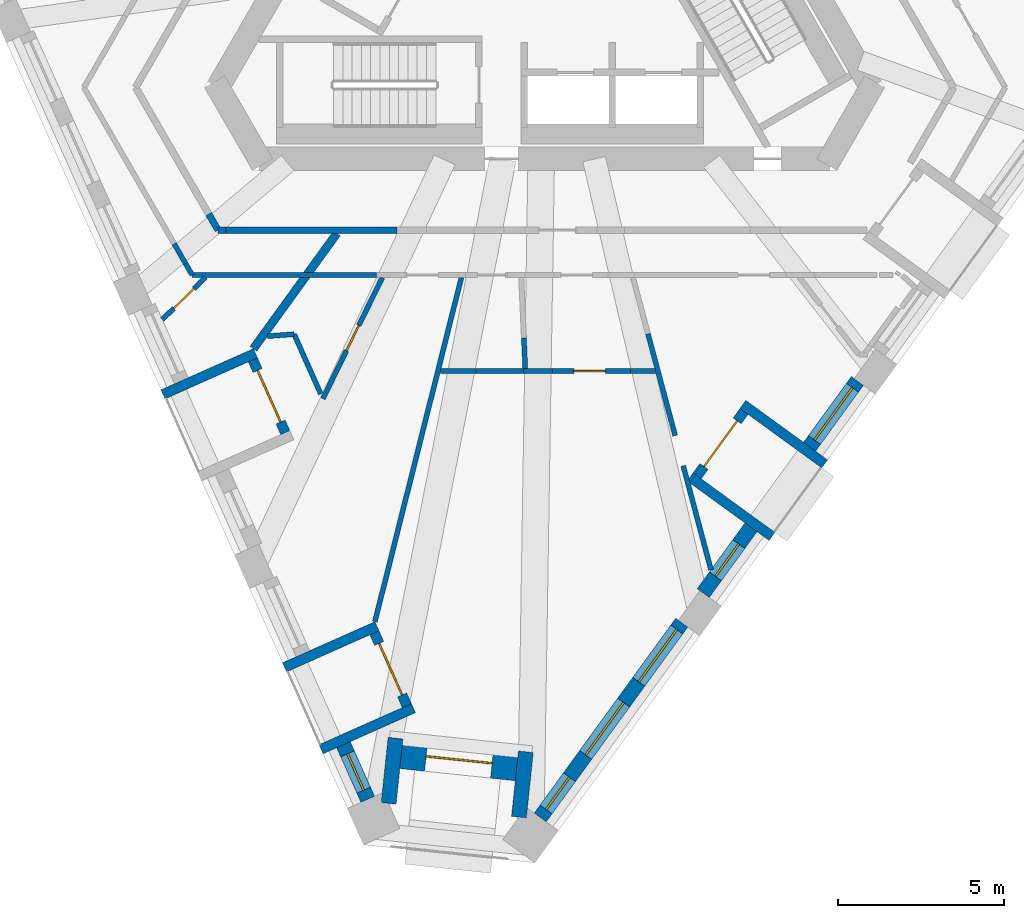
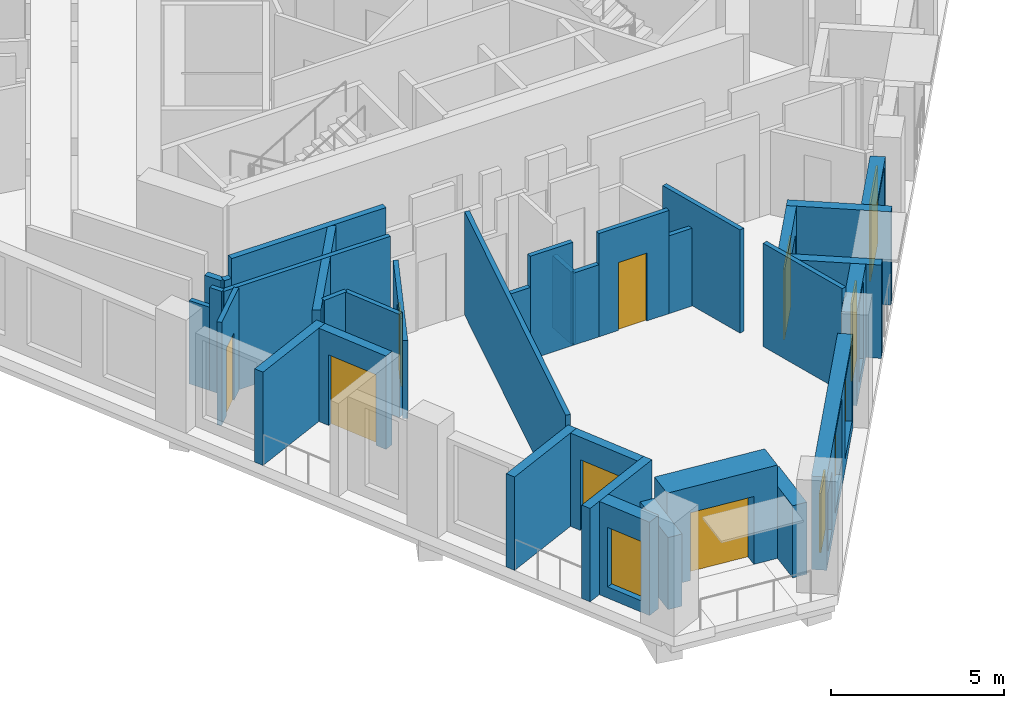
# One storey, part 2 of 11: 35 walls, 7 doors, 6 windows, 13 openings.
"""IFC4 building model written with IfcOpenShell, lengths in metres."""

from ifc_helpers import new_model, si_unit, direction, frame, frame_2d, origin, place, context, subcontext, project, spatial, rectangle, extrude, material, layer, layer_set, type_object, element, fill, save


model = new_model("IFC4")

# Units and contexts
model_context = context("Model", 3, precision=1e-05, world=origin(), true_north=direction((0.0, 1.0)))
body_context = subcontext(model_context, "Body", "Model", "MODEL_VIEW")
ifc_project = project(units=[si_unit("LENGTHUNIT", "METRE"), si_unit("AREAUNIT", "SQUARE_METRE"), si_unit("VOLUMEUNIT", "CUBIC_METRE"), si_unit("PLANEANGLEUNIT", "RADIAN"), si_unit("MASSUNIT", "GRAM", prefix="KILO")], contexts=[model_context])

# Site, building, storey
site_placement = place(None, origin())
site = spatial("IfcSite", under=ifc_project, at=site_placement, CompositionType="ELEMENT")
building_placement = place(site_placement, origin())
building = spatial("IfcBuilding", under=site, at=building_placement, Name="Tramontana Tower", CompositionType="ELEMENT")
storey_placement = place(building_placement, frame((0.0, 0.0, 257.199951171875)))
storey = spatial("IfcBuildingStorey", under=building, at=storey_placement, Name="L60", CompositionType="ELEMENT", Elevation=257.199951171875)

# Walls
ifc_material_1 = material(Name="Blockwork", Category="masonry")
ifc_layer_1 = layer(ifc_material_1, 0.199951171875)
ifc_layer_set_1 = layer_set([ifc_layer_1], Name="ENTRY WALL 200")
wall_type_1 = type_object("IfcWallType", Name="ENTRY WALL 200", PredefinedType="SOLIDWALL", material=ifc_layer_set_1)
wall_1_placement = place(storey_placement, frame((-4.447998046875, -8.550048828125, 0.0), z_axis=(0.0, 0.0, 1.0), x_axis=(-1.0, 0.0, 0.0)))
element("IfcWall", 1, at=wall_1_placement, inside=storey, type_object=wall_type_1, Name="Wall v61-ew1-10", PredefinedType="SOLIDWALL", context=body_context, shape_type="SweptSolid", body=[
    extrude(rectangle(XDim=5.161376953125, YDim=0.199951171875, at=frame_2d((2.58056640625, 0.0))), origin(), (0.0, 0.0, 1.0), 3.650146484375),
])
wall_2_placement = place(storey_placement, frame((-9.609375, -8.550048828125, 0.0), z_axis=(0.0, 0.0, 1.0), x_axis=(-1.0, 0.0, 0.0)))
element("IfcWall", 2, at=wall_2_placement, inside=storey, type_object=wall_type_1, Name="Wall v61-ew1-11", PredefinedType="SOLIDWALL", context=body_context, shape_type="SweptSolid", body=[
    extrude(rectangle(XDim=0.234375, YDim=0.199951171875, at=frame_2d((0.1171875, 0.0))), origin(), (0.0, 0.0, 1.0), 2.949951171875),
])
wall_3_placement = place(storey_placement, frame((-9.84375, -8.550048828125, 0.0), z_axis=(0.0, 0.0, 1.0), x_axis=(-0.500000383388, 0.866025182435, 0.0)))
element("IfcWall", 3, at=wall_3_placement, inside=storey, type_object=wall_type_1, Name="Wall v61-ew2-0", PredefinedType="SOLIDWALL", context=body_context, shape_type="SweptSolid", body=[
    extrude(rectangle(XDim=0.5576171875, YDim=0.199951171875, at=frame_2d((0.27880859375, 0.0))), origin(), (0.0, 0.0, 1.0), 2.949951171875),
])

# Wall, opening, window
ifc_material_2 = material(Name="Precast concrete 60 MPa", Category="concrete")
ifc_layer_2 = layer(ifc_material_2, 0.449951171875)
ifc_layer_set_2 = layer_set([ifc_layer_2], Name="Precast concrete 60 MPa, 450 mm")
wall_type_2 = type_object("IfcWallType", Name="EW1 Stone-faced precast wall 450", PredefinedType="SOLIDWALL", material=ifc_layer_set_2)
wall_4_placement = place(storey_placement, frame((-6.062744140625, -24.060546875, 0.0), z_axis=(0.0, 0.0, 1.0), x_axis=(0.406666293293, -0.913576776138, 0.0)))
wall_4 = element("IfcWall", 4, at=wall_4_placement, inside=storey, type_object=wall_type_2, Name="External wall L60 face 0 bay 5", PredefinedType="SOLIDWALL", context=body_context, shape_type="SweptSolid", body=[
    extrude(rectangle(XDim=1.80224609375, YDim=0.449951171875, at=frame_2d((0.901123046875, 0.0))), origin(), (0.0, 0.0, 1.0), 3.300048828125),
])
opening_1_placement = place(wall_4_placement, frame((0.301025390625, 0.0, 0.39990234375)))
opening_1 = element("IfcOpeningElement", 5, at=opening_1_placement, cuts=wall_4, Name="Opening N3L", PredefinedType="OPENING", context=body_context, shape_type="SweptSolid", body=[
    extrude(rectangle(XDim=1.199951171875, YDim=2.10009765625, at=frame_2d((0.60009765625, 1.050048828125))), frame((0.0, 0.23486328125, 0.0), z_axis=(0.0, -1.0, 0.0), x_axis=(1.0, 0.0, 0.0)), (0.0, 0.0, 1.0), 0.469970703125),
])
ifc_material_3 = material(Name="Aluminum frame, double glazing unit", Category="aluminium")
window_type_1 = type_object("IfcWindowType", Name="N3L Window 1.2 x 2.1", PartitioningType="SINGLE_PANEL", PredefinedType="WINDOW", material=ifc_material_3)
window_1_placement = place(opening_1_placement, origin())
window_1 = element("IfcWindow", 6, at=window_1_placement, inside=storey, type_object=window_type_1, Name="Window N3L L60 face 0 module 15", OverallHeight=2.10009765625, OverallWidth=1.199951171875, PartitioningType="SINGLE_PANEL", PredefinedType="WINDOW", context=body_context, shape_type="SweptSolid", body=[
    extrude(rectangle(XDim=1.199951171875, YDim=2.10009765625, at=frame_2d((0.60009765625, 1.050048828125))), frame((0.0, 0.030029296875, 0.0), z_axis=(0.0, -1.0, 0.0), x_axis=(1.0, 0.0, 0.0)), (0.0, 0.0, 1.0), 0.06005859375),
])
fill(opening_1, window_1)

# Wall, openings, windows
wall_5_placement = place(storey_placement, frame((-0.13134765625, -26.25341796875, 0.0), z_axis=(0.0, 0.0, 1.0), x_axis=(0.587781549195, 0.80901968482, 0.0)))
wall_5 = element("IfcWall", 7, at=wall_5_placement, inside=storey, type_object=wall_type_2, Name="External wall L60 face 1 bay 1", PredefinedType="SOLIDWALL", context=body_context, shape_type="SweptSolid", body=[
    extrude(rectangle(XDim=7.2568359375, YDim=0.449951171875, at=frame_2d((3.62841796875, 0.0))), origin(), (0.0, 0.0, 1.0), 3.300048828125),
])
opening_2_placement = place(wall_5_placement, frame((0.301025390625, 0.0, 0.39990234375)))
opening_2 = element("IfcOpeningElement", 8, at=opening_2_placement, cuts=wall_5, Name="Opening N3L", PredefinedType="OPENING", context=body_context, shape_type="SweptSolid", body=[
    extrude(rectangle(XDim=1.199951171875, YDim=2.10009765625, at=frame_2d((0.60009765625, 1.050048828125))), frame((0.0, 0.23486328125, 0.0), z_axis=(0.0, -1.0, 0.0), x_axis=(1.0, 0.0, 0.0)), (0.0, 0.0, 1.0), 0.469970703125),
])
opening_3_placement = place(wall_5_placement, frame((2.328369140625, 0.0, 0.39990234375)))
opening_3 = element("IfcOpeningElement", 9, at=opening_3_placement, cuts=wall_5, Name="Opening M3", PredefinedType="OPENING", context=body_context, shape_type="SweptSolid", body=[
    extrude(rectangle(XDim=1.949951171875, YDim=2.75, at=frame_2d((0.97509765625, 1.375))), frame((0.0, 0.23486328125, 0.0), z_axis=(0.0, -1.0, 0.0), x_axis=(1.0, 0.0, 0.0)), (0.0, 0.0, 1.0), 0.469970703125),
])
opening_4_placement = place(wall_5_placement, frame((5.0556640625, 0.0, 0.39990234375)))
opening_4 = element("IfcOpeningElement", 10, at=opening_4_placement, cuts=wall_5, Name="Opening M3", PredefinedType="OPENING", context=body_context, shape_type="SweptSolid", body=[
    extrude(rectangle(XDim=1.949951171875, YDim=2.75, at=frame_2d((0.97509765625, 1.375))), frame((0.0, 0.23486328125, 0.0), z_axis=(0.0, -1.0, 0.0), x_axis=(1.0, 0.0, 0.0)), (0.0, 0.0, 1.0), 0.469970703125),
])
ifc_material_4 = material(Name="Aluminum frame, double glazing unit", Category="aluminium")
window_type_2 = type_object("IfcWindowType", Name="M3 Window 1.95 x 2.75", PartitioningType="SINGLE_PANEL", PredefinedType="WINDOW", material=ifc_material_4)
window_2_placement = place(opening_3_placement, origin())
window_2 = element("IfcWindow", 11, at=window_2_placement, inside=storey, type_object=window_type_2, Name="Window M3 L60 face 1 module 2", OverallHeight=2.75, OverallWidth=1.949951171875, PartitioningType="SINGLE_PANEL", PredefinedType="WINDOW", context=body_context, shape_type="SweptSolid", body=[
    extrude(rectangle(XDim=1.949951171875, YDim=2.75, at=frame_2d((0.97509765625, 1.375))), frame((0.0, 0.030029296875, 0.0), z_axis=(0.0, -1.0, 0.0), x_axis=(1.0, 0.0, 0.0)), (0.0, 0.0, 1.0), 0.06005859375),
])
fill(opening_3, window_2)
window_3_placement = place(opening_4_placement, origin())
window_3 = element("IfcWindow", 12, at=window_3_placement, inside=storey, type_object=window_type_2, Name="Window M3 L60 face 1 module 3", OverallHeight=2.75, OverallWidth=1.949951171875, PartitioningType="SINGLE_PANEL", PredefinedType="WINDOW", context=body_context, shape_type="SweptSolid", body=[
    extrude(rectangle(XDim=1.949951171875, YDim=2.75, at=frame_2d((0.97509765625, 1.375))), frame((0.0, 0.030029296875, 0.0), z_axis=(0.0, -1.0, 0.0), x_axis=(1.0, 0.0, 0.0)), (0.0, 0.0, 1.0), 0.06005859375),
])
fill(opening_4, window_3)
window_4_placement = place(opening_2_placement, origin())
window_4 = element("IfcWindow", 13, at=window_4_placement, inside=storey, type_object=window_type_1, Name="Window N3L L60 face 1 module 1", OverallHeight=2.10009765625, OverallWidth=1.199951171875, PartitioningType="SINGLE_PANEL", PredefinedType="WINDOW", context=body_context, shape_type="SweptSolid", body=[
    extrude(rectangle(XDim=1.199951171875, YDim=2.10009765625, at=frame_2d((0.60009765625, 1.050048828125))), frame((0.0, 0.030029296875, 0.0), z_axis=(0.0, -1.0, 0.0), x_axis=(1.0, 0.0, 0.0)), (0.0, 0.0, 1.0), 0.06005859375),
])
fill(opening_2, window_4)

# Wall, opening, window
wall_6_placement = place(storey_placement, frame((4.780517578125, -19.49267578125, 0.0), z_axis=(0.0, 0.0, 1.0), x_axis=(0.587792773076, 0.809011530152, 0.0)))
wall_6 = element("IfcWall", 14, at=wall_6_placement, inside=storey, type_object=wall_type_2, Name="External wall L60 face 1 bay 2", PredefinedType="SOLIDWALL", context=body_context, shape_type="SweptSolid", body=[
    extrude(rectangle(XDim=2.4521484375, YDim=0.449951171875, at=frame_2d((1.22607421875, 0.0))), origin(), (0.0, 0.0, 1.0), 3.300048828125),
])
opening_5_placement = place(wall_6_placement, frame((0.626220703125, 0.0, 0.39990234375)))
opening_5 = element("IfcOpeningElement", 15, at=opening_5_placement, cuts=wall_6, Name="Opening N3", PredefinedType="OPENING", context=body_context, shape_type="SweptSolid", body=[
    extrude(rectangle(XDim=1.199951171875, YDim=2.75, at=frame_2d((0.60009765625, 1.375))), frame((0.0, 0.23486328125, 0.0), z_axis=(0.0, -1.0, 0.0), x_axis=(1.0, 0.0, 0.0)), (0.0, 0.0, 1.0), 0.469970703125),
])
ifc_material_5 = material(Name="Aluminum frame, double glazing unit", Category="aluminium")
window_type_3 = type_object("IfcWindowType", Name="N3 Window 1.2 x 2.75", PartitioningType="SINGLE_PANEL", PredefinedType="WINDOW", material=ifc_material_5)
window_5_placement = place(opening_5_placement, origin())
window_5 = element("IfcWindow", 16, at=window_5_placement, inside=storey, type_object=window_type_3, Name="Window N3 L60 face 1 module 4", OverallHeight=2.75, OverallWidth=1.199951171875, PartitioningType="SINGLE_PANEL", PredefinedType="WINDOW", context=body_context, shape_type="SweptSolid", body=[
    extrude(rectangle(XDim=1.199951171875, YDim=2.75, at=frame_2d((0.60009765625, 1.375))), frame((0.0, 0.030029296875, 0.0), z_axis=(0.0, -1.0, 0.0), x_axis=(1.0, 0.0, 0.0)), (0.0, 0.0, 1.0), 0.06005859375),
])
fill(opening_5, window_5)

wall_7_placement = place(storey_placement, frame((7.986572265625, -15.079833984375, 0.0), z_axis=(0.0, 0.0, 1.0), x_axis=(0.587792773076, 0.809011530152, 0.0)))
wall_7 = element("IfcWall", 17, at=wall_7_placement, inside=storey, type_object=wall_type_2, Name="External wall L60 face 1 bay 2", PredefinedType="SOLIDWALL", context=body_context, shape_type="SweptSolid", body=[
    extrude(rectangle(XDim=2.4521484375, YDim=0.449951171875, at=frame_2d((1.22607421875, 0.0))), origin(), (0.0, 0.0, 1.0), 3.300048828125),
])
opening_6_placement = place(wall_7_placement, frame((0.251220703125, 0.0, 0.39990234375)))
opening_6 = element("IfcOpeningElement", 18, at=opening_6_placement, cuts=wall_7, Name="Opening M3", PredefinedType="OPENING", context=body_context, shape_type="SweptSolid", body=[
    extrude(rectangle(XDim=1.949951171875, YDim=2.75, at=frame_2d((0.97509765625, 1.375))), frame((0.0, 0.23486328125, 0.0), z_axis=(0.0, -1.0, 0.0), x_axis=(1.0, 0.0, 0.0)), (0.0, 0.0, 1.0), 0.469970703125),
])
window_6_placement = place(opening_6_placement, origin())
window_6 = element("IfcWindow", 19, at=window_6_placement, inside=storey, type_object=window_type_2, Name="Window M3 L60 face 1 module 6", OverallHeight=2.75, OverallWidth=1.949951171875, PartitioningType="SINGLE_PANEL", PredefinedType="WINDOW", context=body_context, shape_type="SweptSolid", body=[
    extrude(rectangle(XDim=1.949951171875, YDim=2.75, at=frame_2d((0.97509765625, 1.375))), frame((0.0, 0.030029296875, 0.0), z_axis=(0.0, -1.0, 0.0), x_axis=(1.0, 0.0, 0.0)), (0.0, 0.0, 1.0), 0.06005859375),
])
fill(opening_6, window_6)

# Walls
for number, where, z_axis, x_axis, name in (
    (20, (-0.772216796875, -26.2421875, 0.0), (0.0, 0.0, 1.0), (0.104485716945, 0.994526387259, 0.0), "Corner loggia side wall L60 K61l"),
    (21, (-4.70068359375, -25.829345703125, 0.0), (0.0, 0.0, 1.0), (0.104607727594, 0.994513561158, 0.0), "Corner loggia side wall L60 K61r"),
):
    element("IfcWall", number, at=place(storey_placement, frame(where, z_axis=z_axis, x_axis=x_axis)), inside=storey, type_object=wall_type_2, Name=name, PredefinedType="SOLIDWALL", context=body_context, shape_type="SweptSolid", body=[
        extrude(rectangle(XDim=1.97900390625, YDim=0.449951171875, at=frame_2d((0.989501953125, 0.0))), origin(), (0.0, 0.0, 1.0), 2.550048828125),
    ])

# Wall, opening, door
ifc_material_6 = material(Name="Precast concrete 60 MPa", Category="concrete")
ifc_layer_3 = layer(ifc_material_6, 0.89990234375)
ifc_layer_set_3 = layer_set([ifc_layer_3], Name="EW2 Stone-faced corner loggia wall 900")
wall_type_3 = type_object("IfcWallType", Name="EW2 Stone-faced corner loggia wall 900", PredefinedType="SOLIDWALL", material=ifc_layer_set_3)
wall_8_placement = place(storey_placement, frame((-0.836181640625, -24.697998046875, 0.0), z_axis=(0.0, 0.0, 1.0), x_axis=(-0.994518821828, 0.104557701916, 0.0)))
wall_8 = element("IfcWall", 22, at=wall_8_placement, inside=storey, type_object=wall_type_3, Name="Corner loggia wall L60 K61", PredefinedType="SOLIDWALL", context=body_context, shape_type="SweptSolid", body=[
    extrude(rectangle(XDim=3.500244140625, YDim=0.89990234375, at=frame_2d((1.75, 0.0))), origin(), (0.0, 0.0, 1.0), 3.300048828125),
])
opening_7_placement = place(wall_8_placement, frame((0.75, 0.0, 0.0)))
opening_7 = element("IfcOpeningElement", 23, at=opening_7_placement, cuts=wall_8, Name="Opening BD-61C", PredefinedType="OPENING", context=body_context, shape_type="SweptSolid", body=[
    extrude(rectangle(XDim=2.0, YDim=2.39990234375, at=frame_2d((1.0, 1.199951171875))), frame((0.0, 0.4599609375, 0.0), z_axis=(0.0, -1.0, 0.0), x_axis=(1.0, 0.0, 0.0)), (0.0, 0.0, 1.0), 0.919921875),
])
ifc_material_7 = material(Name="Aluminum frame, double glazing unit", Category="aluminium")
door_type_1 = type_object("IfcDoorType", Name="BC1 Sliding door 2 x 2.4", OperationType="SLIDING_TO_LEFT", PredefinedType="DOOR", material=ifc_material_7)
door_1_placement = place(opening_7_placement, origin())
door_1 = element("IfcDoor", 24, at=door_1_placement, inside=storey, type_object=door_type_1, Name="Corner loggia door L60 K61", OperationType="SLIDING_TO_LEFT", OverallHeight=2.39990234375, OverallWidth=2.0, PredefinedType="DOOR", context=body_context, shape_type="SweptSolid", body=[
    extrude(rectangle(XDim=2.0, YDim=2.39990234375, at=frame_2d((1.0, 1.199951171875))), frame((0.0, 0.02490234375, 0.0), z_axis=(0.0, -1.0, 0.0), x_axis=(1.0, 0.0, 0.0)), (0.0, 0.0, 1.0), 0.050048828125),
])
fill(opening_7, door_1)

ifc_material_8 = material(Name="Precast concrete 60 MPa", Category="concrete")
ifc_layer_4 = layer(ifc_material_8, 0.300048828125)
ifc_layer_set_4 = layer_set([ifc_layer_4], Name="LW1 Stone-faced loggia wall 300")
wall_type_4 = type_object("IfcWallType", Name="LW1 Stone-faced loggia wall 300", PredefinedType="SOLIDWALL", material=ifc_layer_set_4)
wall_9_placement = place(storey_placement, frame((-8.792724609375, -12.458984375, 0.0), z_axis=(0.0, 0.0, 1.0), x_axis=(0.406723017018, -0.913551524232, 0.0)))
wall_9 = element("IfcWall", 25, at=wall_9_placement, inside=storey, type_object=wall_type_4, Name="Loggia wall L60 G6S0.10", PredefinedType="SOLIDWALL", context=body_context, shape_type="SweptSolid", body=[
    extrude(rectangle(XDim=2.40234375, YDim=0.300048828125, at=frame_2d((1.201171875, 0.0))), origin(), (0.0, 0.0, 1.0), 3.300048828125),
])
opening_8_placement = place(wall_9_placement, frame((0.35107421875, 0.0, 0.0)))
opening_8 = element("IfcOpeningElement", 26, at=opening_8_placement, cuts=wall_9, Name="Opening BD-6S0-10", PredefinedType="OPENING", context=body_context, shape_type="SweptSolid", body=[
    extrude(rectangle(XDim=1.699951171875, YDim=2.5, at=frame_2d((0.85009765625, 1.25))), frame((0.0, 0.159912109375, 0.0), z_axis=(0.0, -1.0, 0.0), x_axis=(1.0, 0.0, 0.0)), (0.0, 0.0, 1.0), 0.320068359375),
])
ifc_material_9 = material(Name="Aluminum frame, double glazing unit", Category="aluminium")
door_type_2 = type_object("IfcDoorType", Name="BD3 Sliding door 1.7 x 2.5", OperationType="SLIDING_TO_LEFT", PredefinedType="DOOR", material=ifc_material_9)
door_2_placement = place(opening_8_placement, origin())
door_2 = element("IfcDoor", 27, at=door_2_placement, inside=storey, type_object=door_type_2, Name="Loggia door L60 G6S0.10", OperationType="SLIDING_TO_LEFT", OverallHeight=2.5, OverallWidth=1.699951171875, PredefinedType="DOOR", context=body_context, shape_type="SweptSolid", body=[
    extrude(rectangle(XDim=1.699951171875, YDim=2.5, at=frame_2d((0.85009765625, 1.25))), frame((0.0, 0.02490234375, 0.0), z_axis=(0.0, -1.0, 0.0), x_axis=(1.0, 0.0, 0.0)), (0.0, 0.0, 1.0), 0.050048828125),
])
fill(opening_8, door_2)

# Wall
wall_10_placement = place(storey_placement, frame((-11.5029296875, -13.50146484375, 0.0), z_axis=(0.0, 0.0, 1.0), x_axis=(0.913557205168, 0.406710256677, 0.0)))
element("IfcWall", 28, at=wall_10_placement, inside=storey, type_object=wall_type_4, Name="Loggia return L60 G6S0.10a", PredefinedType="SOLIDWALL", context=body_context, shape_type="SweptSolid", body=[
    extrude(rectangle(XDim=3.050048828125, YDim=0.300048828125, at=frame_2d((1.52490234375, 0.0))), origin(), (0.0, 0.0, 1.0), 3.300048828125),
])

# Wall, opening, door
wall_11_placement = place(storey_placement, frame((-5.12939453125, -20.68701171875, 0.0), z_axis=(0.0, 0.0, 1.0), x_axis=(0.406723017018, -0.913551524232, 0.0)))
wall_11 = element("IfcWall", 29, at=wall_11_placement, inside=storey, type_object=wall_type_4, Name="Loggia wall L60 G6S0.13", PredefinedType="SOLIDWALL", context=body_context, shape_type="SweptSolid", body=[
    extrude(rectangle(XDim=2.40234375, YDim=0.300048828125, at=frame_2d((1.201171875, 0.0))), origin(), (0.0, 0.0, 1.0), 3.300048828125),
])
opening_9_placement = place(wall_11_placement, frame((0.35107421875, 0.0, 0.0)))
opening_9 = element("IfcOpeningElement", 30, at=opening_9_placement, cuts=wall_11, Name="Opening BD-6S0-13", PredefinedType="OPENING", context=body_context, shape_type="SweptSolid", body=[
    extrude(rectangle(XDim=1.699951171875, YDim=2.5, at=frame_2d((0.85009765625, 1.25))), frame((0.0, 0.159912109375, 0.0), z_axis=(0.0, -1.0, 0.0), x_axis=(1.0, 0.0, 0.0)), (0.0, 0.0, 1.0), 0.320068359375),
])
door_3_placement = place(opening_9_placement, origin())
door_3 = element("IfcDoor", 31, at=door_3_placement, inside=storey, type_object=door_type_2, Name="Loggia door L60 G6S0.13", OperationType="SLIDING_TO_LEFT", OverallHeight=2.5, OverallWidth=1.699951171875, PredefinedType="DOOR", context=body_context, shape_type="SweptSolid", body=[
    extrude(rectangle(XDim=1.699951171875, YDim=2.5, at=frame_2d((0.85009765625, 1.25))), frame((0.0, 0.02490234375, 0.0), z_axis=(0.0, -1.0, 0.0), x_axis=(1.0, 0.0, 0.0)), (0.0, 0.0, 1.0), 0.050048828125),
])
fill(opening_9, door_3)

# Walls
for number, where, z_axis, x_axis, name in (
    (32, (-7.839599609375, -21.7294921875, 0.0), (0.0, 0.0, 1.0), (0.913557205168, 0.406710256677, 0.0), "Loggia return L60 G6S0.13a"),
    (33, (-6.740478515625, -24.197998046875, 0.0), (0.0, 0.0, 1.0), (0.913557205168, 0.406710256677, 0.0), "Loggia return L60 G6S0.13b"),
):
    element("IfcWall", number, at=place(storey_placement, frame(where, z_axis=z_axis, x_axis=x_axis)), inside=storey, type_object=wall_type_4, Name=name, PredefinedType="SOLIDWALL", context=body_context, shape_type="SweptSolid", body=[
        extrude(rectangle(XDim=3.050048828125, YDim=0.300048828125, at=frame_2d((1.52490234375, 0.0))), origin(), (0.0, 0.0, 1.0), 3.300048828125),
    ])

# Wall, opening, door
wall_12_placement = place(storey_placement, frame((4.59814453125, -15.958251953125, 0.0), z_axis=(0.0, 0.0, 1.0), x_axis=(0.587833242688, 0.808982125137, 0.0)))
wall_12 = element("IfcWall", 34, at=wall_12_placement, inside=storey, type_object=wall_type_4, Name="Loggia wall L60 G6S1.4", PredefinedType="SOLIDWALL", context=body_context, shape_type="SweptSolid", body=[
    extrude(rectangle(XDim=2.40234375, YDim=0.300048828125, at=frame_2d((1.201171875, 0.0))), origin(), (0.0, 0.0, 1.0), 3.300048828125),
])
opening_10_placement = place(wall_12_placement, frame((0.35107421875, 0.0, 0.0)))
opening_10 = element("IfcOpeningElement", 35, at=opening_10_placement, cuts=wall_12, Name="Opening BD-6S1-04", PredefinedType="OPENING", context=body_context, shape_type="SweptSolid", body=[
    extrude(rectangle(XDim=1.699951171875, YDim=2.5, at=frame_2d((0.85009765625, 1.25))), frame((0.0, 0.159912109375, 0.0), z_axis=(0.0, -1.0, 0.0), x_axis=(1.0, 0.0, 0.0)), (0.0, 0.0, 1.0), 0.320068359375),
])
door_4_placement = place(opening_10_placement, origin())
door_4 = element("IfcDoor", 36, at=door_4_placement, inside=storey, type_object=door_type_2, Name="Loggia door L60 G6S1.4", OperationType="SLIDING_TO_LEFT", OverallHeight=2.5, OverallWidth=1.699951171875, PredefinedType="DOOR", context=body_context, shape_type="SweptSolid", body=[
    extrude(rectangle(XDim=1.699951171875, YDim=2.5, at=frame_2d((0.85009765625, 1.25))), frame((0.0, 0.02490234375, 0.0), z_axis=(0.0, -1.0, 0.0), x_axis=(1.0, 0.0, 0.0)), (0.0, 0.0, 1.0), 0.050048828125),
])
fill(opening_10, door_4)

# Walls
for number, where, z_axis, x_axis, name in (
    (37, (6.856201171875, -17.7841796875, 0.0), (0.0, 0.0, 1.0), (-0.80902328748, 0.587776590479, 0.0), "Loggia return L60 G6S1.4a"),
    (38, (8.4443359375, -15.59814453125, 0.0), (0.0, 0.0, 1.0), (-0.808957563125, 0.587867043696, 0.0), "Loggia return L60 G6S1.4b"),
):
    element("IfcWall", number, at=place(storey_placement, frame(where, z_axis=z_axis, x_axis=x_axis)), inside=storey, type_object=wall_type_4, Name=name, PredefinedType="SOLIDWALL", context=body_context, shape_type="SweptSolid", body=[
        extrude(rectangle(XDim=3.050048828125, YDim=0.300048828125, at=frame_2d((1.52490234375, 0.0))), origin(), (0.0, 0.0, 1.0), 3.300048828125),
    ])

# Wall, opening, door
ifc_material_10 = material(Name="Gypsum board partition")
ifc_layer_5 = layer(ifc_material_10, 0.14990234375)
ifc_layer_set_5 = layer_set([ifc_layer_5], Name="PARTITION 150")
wall_type_5 = type_object("IfcWallType", Name="PARTITION 150", PredefinedType="PARTITIONING", material=ifc_layer_set_5)
wall_13_placement = place(storey_placement, frame((-10.22119140625, -9.97509765625, 0.0), z_axis=(0.0, 0.0, 1.0), x_axis=(-0.715714825307, -0.698392646608, 0.0)))
wall_13 = element("IfcWall", 39, at=wall_13_placement, inside=storey, type_object=wall_type_5, Name="Wall v61-pw03", PredefinedType="PARTITIONING", context=body_context, shape_type="SweptSolid", body=[
    extrude(rectangle(XDim=1.818115234375, YDim=0.14990234375, at=frame_2d((0.9091796875, 0.0))), origin(), (0.0, 0.0, 1.0), 3.650146484375),
])
opening_11_placement = place(wall_13_placement, frame((0.484130859375, 0.0, 0.0)))
opening_11 = element("IfcOpeningElement", 40, at=opening_11_placement, cuts=wall_13, Name="Opening B6B-07", PredefinedType="OPENING", context=body_context, shape_type="SweptSolid", body=[
    extrude(rectangle(XDim=0.85009765625, YDim=2.39990234375, at=frame_2d((0.425048828125, 1.199951171875))), frame((0.0, 0.0849609375, 0.0), z_axis=(0.0, -1.0, 0.0), x_axis=(1.0, 0.0, 0.0)), (0.0, 0.0, 1.0), 0.169921875),
])
ifc_material_11 = material(Name="Painted timber", Category="wood")
door_type_3 = type_object("IfcDoorType", Name="DOOR BATH 850", OperationType="SINGLE_SWING_LEFT", PredefinedType="DOOR", material=ifc_material_11)
door_5_placement = place(opening_11_placement, origin())
door_5 = element("IfcDoor", 41, at=door_5_placement, inside=storey, type_object=door_type_3, Name="Door B6B-07", OperationType="SINGLE_SWING_LEFT", OverallHeight=2.39990234375, OverallWidth=0.85009765625, PredefinedType="DOOR", context=body_context, shape_type="SweptSolid", body=[
    extrude(rectangle(XDim=0.85009765625, YDim=2.39990234375, at=frame_2d((0.425048828125, 1.199951171875))), frame((0.0, 0.02490234375, 0.0), z_axis=(0.0, -1.0, 0.0), x_axis=(1.0, 0.0, 0.0)), (0.0, 0.0, 1.0), 0.050048828125),
])
fill(opening_11, door_5)

# Walls
wall_14_placement = place(storey_placement, frame((-10.623291015625, -9.89990234375, 0.0), z_axis=(0.0, 0.0, 1.0), x_axis=(-0.499899443193, 0.866083452501, 0.0)))
element("IfcWall", 42, at=wall_14_placement, inside=storey, type_object=wall_type_5, Name="Wall v61-pw05-0", PredefinedType="PARTITIONING", context=body_context, shape_type="SweptSolid", body=[
    extrude(rectangle(XDim=0.39794921875, YDim=0.14990234375, at=frame_2d((0.198974609375, 0.0))), origin(), (0.0, 0.0, 1.0), 3.650146484375),
])
wall_15_placement = place(storey_placement, frame((-10.822265625, -9.55517578125, 0.0), z_axis=(0.0, 0.0, 1.0), x_axis=(-0.499969057507, 0.866043267704, 0.0)))
element("IfcWall", 43, at=wall_15_placement, inside=storey, type_object=wall_type_5, Name="Wall v61-pw05-1", PredefinedType="PARTITIONING", context=body_context, shape_type="SweptSolid", body=[
    extrude(rectangle(XDim=0.685546875, YDim=0.14990234375, at=frame_2d((0.3427734375, 0.0))), origin(), (0.0, 0.0, 1.0), 2.949951171875),
])
wall_16_placement = place(storey_placement, frame((-7.55029296875, -11.686767578125, 0.0), z_axis=(0.0, 0.0, 1.0), x_axis=(-0.997150320781, -0.075440292725, 0.0)))
element("IfcWall", 44, at=wall_16_placement, inside=storey, type_object=wall_type_5, Name="Wall v61-pw10", PredefinedType="PARTITIONING", context=body_context, shape_type="SweptSolid", body=[
    extrude(rectangle(XDim=0.802490234375, YDim=0.14990234375, at=frame_2d((0.4013671875, 0.0))), origin(), (0.0, 0.0, 1.0), 3.650146484375),
])
wall_17_placement = place(storey_placement, frame((-6.74755859375, -13.48681640625, 0.0), z_axis=(0.0, 0.0, 1.0), x_axis=(-0.406690599402, 0.913565956217, 0.0)))
element("IfcWall", 45, at=wall_17_placement, inside=storey, type_object=wall_type_5, Name="Wall v61-pw11-1", PredefinedType="PARTITIONING", context=body_context, shape_type="SweptSolid", body=[
    extrude(rectangle(XDim=1.968994140625, YDim=0.14990234375, at=frame_2d((0.984375, 0.0))), origin(), (0.0, 0.0, 1.0), 3.650146484375),
])
wall_18_placement = place(storey_placement, frame((-5.1142578125, -20.351806640625, 0.0), z_axis=(0.0, 0.0, 1.0), x_axis=(0.243721993926, 0.969845136956, 0.0)))
element("IfcWall", 46, at=wall_18_placement, inside=storey, type_object=wall_type_5, Name="Wall v61-pw13", PredefinedType="PARTITIONING", context=body_context, shape_type="SweptSolid", body=[
    extrude(rectangle(XDim=10.699462890625, YDim=0.14990234375, at=frame_2d((5.349609375, 0.0))), origin(), (0.0, 0.0, 1.0), 3.650146484375),
])

# Wall, opening, door
wall_19_placement = place(storey_placement, frame((-6.68212890625, -13.6337890625, 0.0), z_axis=(0.0, 0.0, 1.0), x_axis=(0.440105116834, 0.897946260161, 0.0)))
wall_19 = element("IfcWall", 47, at=wall_19_placement, inside=storey, type_object=wall_type_5, Name="Wall v61-pw14-0", PredefinedType="PARTITIONING", context=body_context, shape_type="SweptSolid", body=[
    extrude(rectangle(XDim=4.074462890625, YDim=0.14990234375, at=frame_2d((2.037109375, 0.0))), origin(), (0.0, 0.0, 1.0), 2.75),
])
opening_12_placement = place(wall_19_placement, frame((1.6123046875, 0.0, 0.0)))
opening_12 = element("IfcOpeningElement", 48, at=opening_12_placement, cuts=wall_19, Name="Opening B6B-12", PredefinedType="OPENING", context=body_context, shape_type="SweptSolid", body=[
    extrude(rectangle(XDim=0.85009765625, YDim=2.39990234375, at=frame_2d((0.425048828125, 1.199951171875))), frame((0.0, 0.0849609375, 0.0), z_axis=(0.0, -1.0, 0.0), x_axis=(1.0, 0.0, 0.0)), (0.0, 0.0, 1.0), 0.169921875),
])
door_6_placement = place(opening_12_placement, origin())
door_6 = element("IfcDoor", 49, at=door_6_placement, inside=storey, type_object=door_type_3, Name="Door B6B-12", OperationType="SINGLE_SWING_RIGHT", OverallHeight=2.39990234375, OverallWidth=0.85009765625, PredefinedType="DOOR", context=body_context, shape_type="SweptSolid", body=[
    extrude(rectangle(XDim=0.85009765625, YDim=2.39990234375, at=frame_2d((0.425048828125, 1.199951171875))), frame((0.0, 0.02490234375, 0.0), z_axis=(0.0, -1.0, 0.0), x_axis=(1.0, 0.0, 0.0)), (0.0, 0.0, 1.0), 0.050048828125),
])
fill(opening_12, door_6)

# Walls
wall_20_placement = place(storey_placement, frame((-0.57958984375, -12.7978515625, 0.0), z_axis=(0.0, 0.0, 1.0), x_axis=(-0.044324993646, 0.999017164486, 0.0)))
element("IfcWall", 50, at=wall_20_placement, inside=storey, type_object=wall_type_5, Name="Wall v61-pw17-0", PredefinedType="PARTITIONING", context=body_context, shape_type="SweptSolid", body=[
    extrude(rectangle(XDim=1.00244140625, YDim=0.14990234375, at=frame_2d((0.501220703125, 0.0))), origin(), (0.0, 0.0, 1.0), 2.550048828125),
])
wall_21_placement = place(storey_placement, frame((3.116943359375, -11.678466796875, 0.0), z_axis=(0.0, 0.0, 1.0), x_axis=(0.257839841258, -0.966187671345, 0.0)))
element("IfcWall", 51, at=wall_21_placement, inside=storey, type_object=wall_type_5, Name="Wall v61-pw18-1", PredefinedType="PARTITIONING", context=body_context, shape_type="SweptSolid", body=[
    extrude(rectangle(XDim=3.1728515625, YDim=0.14990234375, at=frame_2d((1.58642578125, 0.0))), origin(), (0.0, 0.0, 1.0), 3.650146484375),
])
wall_22_placement = place(storey_placement, frame((3.338623046875, -12.800048828125, 0.0), z_axis=(0.0, 0.0, 1.0), x_axis=(-1.0, 0.0, 0.0)))
element("IfcWall", 52, at=wall_22_placement, inside=storey, type_object=wall_type_5, Name="Wall v61-pw20-0", PredefinedType="PARTITIONING", context=body_context, shape_type="SweptSolid", body=[
    extrude(rectangle(XDim=0.75634765625, YDim=0.14990234375, at=frame_2d((0.378173828125, 0.0))), origin(), (0.0, 0.0, 1.0), 2.75),
])

# Wall, opening, door
wall_23_placement = place(storey_placement, frame((2.582275390625, -12.800048828125, 0.0), z_axis=(0.0, 0.0, 1.0), x_axis=(-1.0, 0.0, 0.0)))
wall_23 = element("IfcWall", 53, at=wall_23_placement, inside=storey, type_object=wall_type_5, Name="Wall v61-pw20-1", PredefinedType="PARTITIONING", context=body_context, shape_type="SweptSolid", body=[
    extrude(rectangle(XDim=2.34716796875, YDim=0.14990234375, at=frame_2d((1.173583984375, 0.0))), origin(), (0.0, 0.0, 1.0), 3.650146484375),
])
opening_13_placement = place(wall_23_placement, frame((0.747802734375, 0.0, 0.0)))
opening_13 = element("IfcOpeningElement", 54, at=opening_13_placement, cuts=wall_23, Name="Opening B6B-20", PredefinedType="OPENING", context=body_context, shape_type="SweptSolid", body=[
    extrude(rectangle(XDim=0.949951171875, YDim=2.39990234375, at=frame_2d((0.47509765625, 1.199951171875))), frame((0.0, 0.0849609375, 0.0), z_axis=(0.0, -1.0, 0.0), x_axis=(1.0, 0.0, 0.0)), (0.0, 0.0, 1.0), 0.169921875),
])
ifc_material_12 = material(Name="Painted timber", Category="wood")
door_type_4 = type_object("IfcDoorType", Name="DOOR ROOM 950", OperationType="SINGLE_SWING_LEFT", PredefinedType="DOOR", material=ifc_material_12)
door_7_placement = place(opening_13_placement, origin())
door_7 = element("IfcDoor", 55, at=door_7_placement, inside=storey, type_object=door_type_4, Name="Door B6B-20", OperationType="SINGLE_SWING_RIGHT", OverallHeight=2.39990234375, OverallWidth=0.949951171875, PredefinedType="DOOR", context=body_context, shape_type="SweptSolid", body=[
    extrude(rectangle(XDim=0.949951171875, YDim=2.39990234375, at=frame_2d((0.47509765625, 1.199951171875))), frame((0.0, 0.02490234375, 0.0), z_axis=(0.0, -1.0, 0.0), x_axis=(1.0, 0.0, 0.0)), (0.0, 0.0, 1.0), 0.050048828125),
])
fill(opening_13, door_7)

# Walls
wall_24_placement = place(storey_placement, frame((0.235107421875, -12.800048828125, 0.0), z_axis=(0.0, 0.0, 1.0), x_axis=(-1.0, 0.0, 0.0)))
element("IfcWall", 56, at=wall_24_placement, inside=storey, type_object=wall_type_5, Name="Wall v61-pw20-2", PredefinedType="PARTITIONING", context=body_context, shape_type="SweptSolid", body=[
    extrude(rectangle(XDim=0.875, YDim=0.14990234375, at=frame_2d((0.4375, 0.0))), origin(), (0.0, 0.0, 1.0), 2.550048828125),
])
wall_25_placement = place(storey_placement, frame((-0.639892578125, -12.800048828125, 0.0), z_axis=(0.0, 0.0, 1.0), x_axis=(-1.0, 0.0, 0.0)))
element("IfcWall", 57, at=wall_25_placement, inside=storey, type_object=wall_type_5, Name="Wall v61-pw20-3", PredefinedType="PARTITIONING", context=body_context, shape_type="SweptSolid", body=[
    extrude(rectangle(XDim=1.42431640625, YDim=0.14990234375, at=frame_2d((0.712158203125, 0.0))), origin(), (0.0, 0.0, 1.0), 3.650146484375),
])
wall_26_placement = place(storey_placement, frame((-2.064208984375, -12.800048828125, 0.0), z_axis=(0.0, 0.0, 1.0), x_axis=(-1.0, 0.0, 0.0)))
element("IfcWall", 58, at=wall_26_placement, inside=storey, type_object=wall_type_5, Name="Wall v61-pw20-4", PredefinedType="PARTITIONING", context=body_context, shape_type="SweptSolid", body=[
    extrude(rectangle(XDim=1.074951171875, YDim=0.14990234375, at=frame_2d((0.53759765625, 0.0))), origin(), (0.0, 0.0, 1.0), 2.550048828125),
])
wall_27_placement = place(storey_placement, frame((4.177734375, -15.65283203125, 0.0), z_axis=(0.0, 0.0, 1.0), x_axis=(0.257854653304, -0.966183718435, 0.0)))
element("IfcWall", 59, at=wall_27_placement, inside=storey, type_object=wall_type_5, Name="Wall v61-pw21", PredefinedType="PARTITIONING", context=body_context, shape_type="SweptSolid", body=[
    extrude(rectangle(XDim=3.24462890625, YDim=0.14990234375, at=frame_2d((1.622314453125, 0.0))), origin(), (0.0, 0.0, 1.0), 3.650146484375),
])
wall_28_placement = place(storey_placement, frame((-5.06689453125, -9.89990234375, 0.0), z_axis=(0.0, 0.0, 1.0), x_axis=(-1.0, 0.0, 0.0)))
element("IfcWall", 60, at=wall_28_placement, inside=storey, type_object=wall_type_5, Name="Wall v61-pw28-10", PredefinedType="PARTITIONING", context=body_context, shape_type="SweptSolid", body=[
    extrude(rectangle(XDim=5.556396484375, YDim=0.14990234375, at=frame_2d((2.7783203125, 0.0))), origin(), (0.0, 0.0, 1.0), 3.650146484375),
])
ifc_material_13 = material(Name="Blockwork", Category="masonry")
ifc_layer_6 = layer(ifc_material_13, 0.25)
ifc_layer_set_6 = layer_set([ifc_layer_6], Name="PARTY WALL 250")
wall_type_6 = type_object("IfcWallType", Name="PARTY WALL 250", PredefinedType="SOLIDWALL", material=ifc_layer_set_6)
wall_29_placement = place(storey_placement, frame((-6.262451171875, -8.64990234375, 0.0), z_axis=(0.0, 0.0, 1.0), x_axis=(-0.586417098103, -0.810009251214, 0.0)))
element("IfcWall", 61, at=wall_29_placement, inside=storey, type_object=wall_type_6, Name="Wall v61-pw12", PredefinedType="SOLIDWALL", context=body_context, shape_type="SweptSolid", body=[
    extrude(rectangle(XDim=4.2890625, YDim=0.25, at=frame_2d((2.14453125, 0.0))), origin(), (0.0, 0.0, 1.0), 3.650146484375),
])

save(model, "model.ifc")
